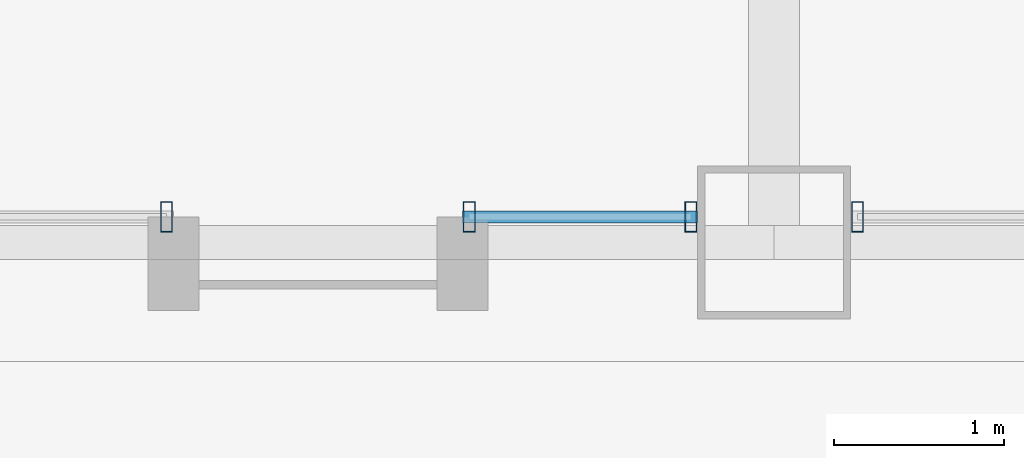
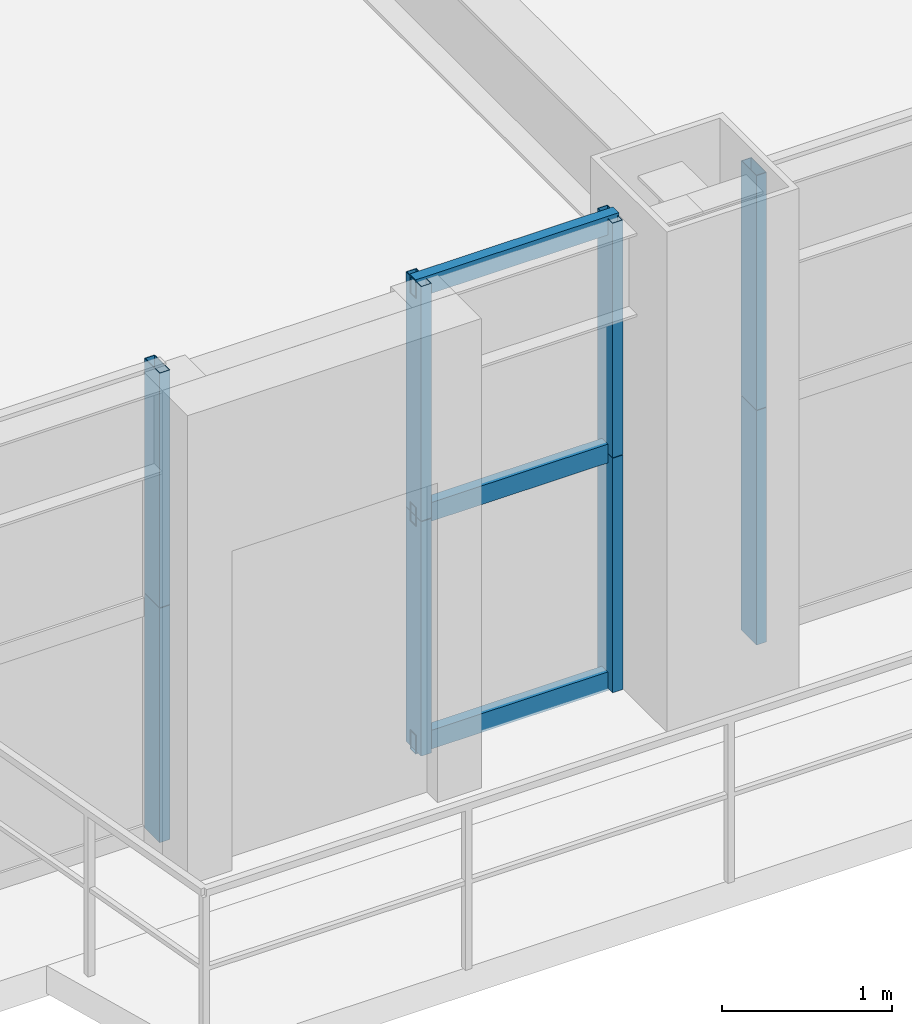
# One storey, part 8 of 43: 11 members, 3 elements without a shape of their own.
"""IFC4 building model written with IfcOpenShell, lengths in metres."""

import ifcopenshell
import ifcopenshell.guid

model = None  # the IFC model being written
_history = None  # IfcOwnerHistory: only IFC2X3 demands one
_inside = {}  # id of a spatial element -> (the spatial element, [elements in it])
_under = {}  # id of a project, library or spatial element -> (it, [spatial elements below it])
_declared = {}  # id of a project -> (the project, [libraries it declares])
_typed = {}  # id of a type object -> (the type object, [elements of that type])
_made_of = {}  # id of a material, layer set ... -> (it, [elements and type objects made of it])


def new_model(schema):
    """Start an empty IFC model of exactly this schema.

    Asked for "IFC4X3", IfcOpenShell would pick the latest addendum, in which some entities
    have other attributes; the version numbers below select the first issue.
    IFC2X3 requires an IfcOwnerHistory on every rooted entity: one is made here for all.
    """
    global model, _history
    if schema == "IFC4X3":
        model = ifcopenshell.file(schema_version=(4, 3, 0, 0))
    else:
        model = ifcopenshell.file(schema=schema)
    _inside.clear()
    _under.clear()
    _declared.clear()
    _typed.clear()
    _made_of.clear()
    _history = None
    if model.schema == "IFC2X3":
        org = make("IfcOrganization", Name="unknown")
        user = make(
            "IfcPersonAndOrganization",
            ThePerson=make("IfcPerson", FamilyName="unknown"),
            TheOrganization=org,
        )
        app = make(
            "IfcApplication",
            ApplicationDeveloper=org,
            Version="unknown",
            ApplicationFullName="unknown",
            ApplicationIdentifier="unknown",
        )
        _history = make(
            "IfcOwnerHistory",
            OwningUser=user,
            OwningApplication=app,
            ChangeAction="ADDED",
            CreationDate=0,
        )
    return model


def make(cls, **values):
    """One entity of the class cls with the attributes given. An attribute that is None is left unset."""
    return model.create_entity(
        cls, **{name: value for name, value in values.items() if value is not None}
    )


def rooted(cls, **values):
    """An entity with a GlobalId (a new one), such as an element, a storey or a relation."""
    return make(cls, GlobalId=ifcopenshell.guid.new(), OwnerHistory=_history, **values)


def si_unit(unit_type, name, prefix=None):
    """IfcSIUnit, for example si_unit("LENGTHUNIT", "METRE", prefix="MILLI")."""
    return make("IfcSIUnit", UnitType=unit_type, Prefix=prefix, Name=name)


def assignment(units):
    """IfcUnitAssignment: the units of a project."""
    return None if units is None else make("IfcUnitAssignment", Units=units)


def point(xyz):
    """IfcCartesianPoint."""
    return None if xyz is None else make("IfcCartesianPoint", Coordinates=xyz)


def direction(xyz):
    """IfcDirection."""
    return None if xyz is None else make("IfcDirection", DirectionRatios=xyz)


def frame(location, z_axis=None, x_axis=None):
    """IfcAxis2Placement3D, a coordinate frame: its origin and axes. An axis left out is left unset."""
    return make(
        "IfcAxis2Placement3D",
        Location=point(location),
        Axis=direction(z_axis),
        RefDirection=direction(x_axis),
    )


def frame_2d(location, x_axis=None):
    """IfcAxis2Placement2D, a coordinate frame in the plane: its origin and x axis."""
    return make(
        "IfcAxis2Placement2D", Location=point(location), RefDirection=direction(x_axis)
    )


def origin():
    """The frame at (0, 0, 0) with its axes left unset."""
    return frame((0.0, 0.0, 0.0))


def origin_2d():
    """The frame at (0, 0) in the plane with its x axis left unset."""
    return frame_2d((0.0, 0.0))


def place(relative_to, where):
    """IfcLocalPlacement: puts the frame where relative to a parent placement (None: the world)."""
    return make(
        "IfcLocalPlacement", PlacementRelTo=relative_to, RelativePlacement=where
    )


def context(
    kind, dimensions, precision=None, world=None, true_north=None, identifier=None
):
    """IfcGeometricRepresentationContext, for example the 3D "Model" context."""
    return make(
        "IfcGeometricRepresentationContext",
        ContextIdentifier=identifier,
        ContextType=kind,
        CoordinateSpaceDimension=dimensions,
        Precision=precision,
        WorldCoordinateSystem=world,
        TrueNorth=true_north,
    )


def subcontext(parent, identifier, kind, view, scale=None):
    """IfcGeometricRepresentationSubContext, for example "Body" below "Model"."""
    return make(
        "IfcGeometricRepresentationSubContext",
        ContextIdentifier=identifier,
        ContextType=kind,
        ParentContext=parent,
        TargetScale=scale,
        TargetView=view,
    )


def project(units=None, contexts=None):
    """IfcProject with its units and contexts."""
    return rooted(
        "IfcProject",
        Name="project",
        RepresentationContexts=contexts,
        UnitsInContext=assignment(units),
    )


def spatial(cls, under=None, at=None, **own):
    """A site, building, storey or space (cls), placed at a placement, below another one or the project."""
    s = rooted(cls, ObjectPlacement=at, **own)
    if under is not None:
        _under.setdefault(under.id(), (under, []))[1].append(s)
    return s


def profile(cls, at=None, kind="AREA", **sizes):
    """A parametric profile (cls). Its sizes go by their IFC names, for example OverallWidth=200.0."""
    return make(cls, ProfileType=kind, Position=at, **sizes)


def hollow_rectangle(**sizes):
    """IfcRectangleHollowProfileDef."""
    return profile("IfcRectangleHollowProfileDef", **sizes)


def extrude(swept, where, along, depth):
    """IfcExtrudedAreaSolid: the profile swept, set in the frame where, extruded along a direction by depth."""
    return make(
        "IfcExtrudedAreaSolid",
        SweptArea=swept,
        Position=where,
        ExtrudedDirection=direction(along),
        Depth=depth,
    )


def shape(context_of_items, identifier, shape_type, items):
    """IfcShapeRepresentation: the items that make up one representation, for example the "Body"."""
    return make(
        "IfcShapeRepresentation",
        ContextOfItems=context_of_items,
        RepresentationIdentifier=identifier,
        RepresentationType=shape_type,
        Items=items,
    )


def source(mapping_origin, context_of_items, identifier, shape_type, items):
    """IfcRepresentationMap: a shape defined once, which mapped items show again and again."""
    return make(
        "IfcRepresentationMap",
        MappingOrigin=mapping_origin,
        MappedRepresentation=shape(context_of_items, identifier, shape_type, items),
    )


def transform(
    local_origin,
    x_axis=None,
    y_axis=None,
    z_axis=None,
    scale=None,
    scale2=None,
    scale3=None,
    uniform=True,
):
    """IfcCartesianTransformationOperator3D, or its non-uniform kind. x_axis, y_axis, z_axis: its Axis1, 2, 3."""
    if uniform:
        return make(
            "IfcCartesianTransformationOperator3D",
            Axis1=direction(x_axis),
            Axis2=direction(y_axis),
            LocalOrigin=point(local_origin),
            Scale=scale,
            Axis3=direction(z_axis),
        )
    return make(
        "IfcCartesianTransformationOperator3DnonUniform",
        Axis1=direction(x_axis),
        Axis2=direction(y_axis),
        LocalOrigin=point(local_origin),
        Scale=scale,
        Axis3=direction(z_axis),
        Scale2=scale2,
        Scale3=scale3,
    )


def mapped(mapping_source, mapping_target):
    """IfcMappedItem: shows the shape of a source again, moved by a transform."""
    return make(
        "IfcMappedItem", MappingSource=mapping_source, MappingTarget=mapping_target
    )


def material(Name=None, Category=None):
    """IfcMaterial."""
    return make("IfcMaterial", Name=Name, Category=Category)


def layer(
    of_material, thickness, ventilated=None, Name=None, Category=None, Priority=None
):
    """IfcMaterialLayer: one layer of a wall or slab, of a material (None: an air gap)."""
    return make(
        "IfcMaterialLayer",
        Material=of_material,
        LayerThickness=thickness,
        IsVentilated=ventilated,
        Name=Name,
        Category=Category,
        Priority=Priority,
    )


def layer_set(layers, Name=None):
    """IfcMaterialLayerSet."""
    return make("IfcMaterialLayerSet", MaterialLayers=layers, LayerSetName=Name)


def material_profile(
    of_material, cross_section, Name=None, Category=None, Priority=None
):
    """IfcMaterialProfile: a cross section and its material."""
    return make(
        "IfcMaterialProfile",
        Name=Name,
        Material=of_material,
        Profile=cross_section,
        Priority=Priority,
        Category=Category,
    )


def profile_set(profiles, Name=None, composite=None):
    """IfcMaterialProfileSet."""
    return make(
        "IfcMaterialProfileSet",
        Name=Name,
        MaterialProfiles=profiles,
        CompositeProfile=composite,
    )


def made_of(thing, what):
    """Note that an element or type object is made of a material, layer set ...; save() writes the relation."""
    if what is not None:
        _made_of.setdefault(what.id(), (what, []))[1].append(thing)
    return thing


def type_object(cls, material=None, **own):
    """A type object (cls), such as IfcWallType, which elements share."""
    return made_of(rooted(cls, **own), material)


def element(
    cls,
    number,
    at=None,
    inside=None,
    cuts=None,
    type_object=None,
    material=None,
    context=None,
    identifier="Body",
    shape_type=None,
    held_by="IfcProductDefinitionShape",
    body=None,
    shapes=None,
    **own,
):
    """One element of the class cls, such as IfcWall. Its Tag is "e" and its number.

    at: its placement. inside: the storey or other place that contains it. cuts: it is an
    opening in that element (IfcRelVoidsElement). A single representation is given by context,
    identifier, shape_type and body (its items); several are given by shapes. held_by: the class
    of the entity that holds the representations. save() writes the other relations.
    """
    e = rooted(cls, Tag="e%d" % number, ObjectPlacement=at, **own)
    if body is not None:
        shapes = [shape(context, identifier, shape_type, body)]
    if shapes is not None:
        e.Representation = make(held_by, Representations=shapes)
    if inside is not None:
        _inside.setdefault(inside.id(), (inside, []))[1].append(e)
    if cuts is not None:
        rooted(
            "IfcRelVoidsElement", RelatingBuildingElement=cuts, RelatedOpeningElement=e
        )
    if type_object is not None:
        _typed.setdefault(type_object.id(), (type_object, []))[1].append(e)
    return made_of(e, material)


def aggregate(whole, parts):
    """IfcRelAggregates: a whole, such as a stair, and the parts it consists of."""
    return rooted("IfcRelAggregates", RelatingObject=whole, RelatedObjects=parts)


def save(model, path):
    """Write the relations noted so far, then the file.

    IfcRelAggregates (storeys below a building ...), IfcRelContainedInSpatialStructure (elements
    in a storey), IfcRelDefinesByType, IfcRelAssociatesMaterial and IfcRelDeclares: one each for
    every whole, place, type object, material and project.
    """
    for whole, parts in _under.values():
        aggregate(whole, parts)
    for where, things in _inside.values():
        rooted(
            "IfcRelContainedInSpatialStructure",
            RelatedElements=things,
            RelatingStructure=where,
        )
    for kind, things in _typed.values():
        rooted("IfcRelDefinesByType", RelatedObjects=things, RelatingType=kind)
    for what, things in _made_of.values():
        rooted("IfcRelAssociatesMaterial", RelatedObjects=things, RelatingMaterial=what)
    for by, libraries in _declared.values():
        rooted("IfcRelDeclares", RelatingContext=by, RelatedDefinitions=libraries)
    model.write(path)


model = new_model("IFC4")

# Units and contexts
model_context = context("Model", 3, precision=1e-05, world=origin(), true_north=direction((0.0, 1.0)))
body_context = subcontext(model_context, "Body", "Model", "MODEL_VIEW")
ifc_project = project(units=[si_unit("LENGTHUNIT", "METRE"), si_unit("AREAUNIT", "SQUARE_METRE"), si_unit("VOLUMEUNIT", "CUBIC_METRE"), si_unit("PLANEANGLEUNIT", "RADIAN"), si_unit("MASSUNIT", "GRAM", prefix="KILO"), si_unit("THERMODYNAMICTEMPERATUREUNIT", "KELVIN"), si_unit("POWERUNIT", "WATT")], contexts=[model_context])

# Site, building, storey
site_placement = place(None, origin())
site = spatial("IfcSite", under=ifc_project, at=site_placement, CompositionType="ELEMENT")
building_placement = place(site_placement, origin())
building = spatial("IfcBuilding", under=site, at=building_placement, Name="Yuzanri Waterfront Tower", CompositionType="ELEMENT")
storey_placement = place(building_placement, frame((0.0, 0.0, 101.0)))
storey = spatial("IfcBuildingStorey", under=building, at=storey_placement, Name="L26", CompositionType="ELEMENT", Elevation=101.0)

# Curtain wall, members
ifc_material_1 = material(Name="Anodized Architectural Bronze", Category="metal")
ifc_layer = layer(ifc_material_1, 0.159912109375)
ifc_layer_set = layer_set([ifc_layer], Name="Anodized Architectural Bronze")
curtain_wall_type = type_object("IfcCurtainWallType", Name="Anodized Bronze Hotel Upper-Tier Solar-Control Unitized Curtain Wall 7800", PredefinedType="NOTDEFINED", material=ifc_layer_set)
curtain_wall_1_placement = place(storey_placement, origin())
curtain_wall_1 = element("IfcCurtainWall", 1, at=curtain_wall_1_placement, inside=storey, type_object=curtain_wall_type, Name="L26 Curtain Wall CW-L26-SL1", PredefinedType="NOTDEFINED")
ifc_material_2 = material(Name="Anodized Architectural Bronze", Category="metal")
ifc_material_profile_1 = material_profile(ifc_material_2, hollow_rectangle(XDim=0.070068359375, YDim=0.179931640625, WallThickness=0.00390625, at=origin_2d()), Name="CWM 70x180")
ifc_profile_set_1 = profile_set([ifc_material_profile_1], Name="Anodized Architectural Bronze")
member_type_1 = type_object("IfcMemberType", Name="Anodized Bronze Standard Curtain-Wall Mullion 70x180", PredefinedType="MULLION", material=ifc_profile_set_1)
shared_shape_1 = source(origin(), body_context, "Body", "SweptSolid", [
    extrude(hollow_rectangle(XDim=0.070068359375, YDim=0.179931640625, WallThickness=0.00390625, at=origin_2d()), origin(), (0.0, 0.0, 1.0), 1.68798828125),
])
member_1_placement = place(storey_placement, frame((33.427001953125, 2.35009765625, 0.0), z_axis=(0.0, 0.0, 1.0), x_axis=(1.0, 0.0, 0.0)))
member_1 = element("IfcMember", 2, at=member_1_placement, type_object=member_type_1, Name="CW-L26-SL1 Lower Mullion 02", PredefinedType="MULLION", context=body_context, shape_type="MappedRepresentation", body=[
    mapped(shared_shape_1, transform((0.0, 0.0, 0.0), scale=1.0)),
])
member_2_placement = place(storey_placement, frame((33.427001953125, 2.35009765625, 1.69189453125), z_axis=(0.0, 0.0, 1.0), x_axis=(1.0, 0.0, 0.0)))
member_2 = element("IfcMember", 3, at=member_2_placement, type_object=member_type_1, Name="CW-L26-SL1 Upper Mullion 02", PredefinedType="MULLION", context=body_context, shape_type="MappedRepresentation", body=[
    mapped(shared_shape_1, transform((0.0, 0.0, 0.0), scale=1.0)),
])
aggregate(curtain_wall_1, [member_1, member_2])

curtain_wall_2_placement = place(storey_placement, origin())
curtain_wall_2 = element("IfcCurtainWall", 4, at=curtain_wall_2_placement, inside=storey, type_object=curtain_wall_type, Name="L26 Curtain Wall CW-L26-SL2", PredefinedType="NOTDEFINED")
member_3_placement = place(storey_placement, frame((35.20703125, 2.35009765625, 0.0), z_axis=(0.0, 0.0, 1.0), x_axis=(1.0, 0.0, 0.0)))
member_3 = element("IfcMember", 5, at=member_3_placement, type_object=member_type_1, Name="CW-L26-SL2 Lower Mullion 00", PredefinedType="MULLION", context=body_context, shape_type="MappedRepresentation", body=[
    mapped(shared_shape_1, transform((0.0, 0.0, 0.0), scale=1.0)),
])
member_4_placement = place(storey_placement, frame((35.20703125, 2.35009765625, 1.69189453125), z_axis=(0.0, 0.0, 1.0), x_axis=(1.0, 0.0, 0.0)))
member_4 = element("IfcMember", 6, at=member_4_placement, type_object=member_type_1, Name="CW-L26-SL2 Upper Mullion 00", PredefinedType="MULLION", context=body_context, shape_type="MappedRepresentation", body=[
    mapped(shared_shape_1, transform((0.0, 0.0, 0.0), scale=1.0)),
])
member_5_placement = place(storey_placement, frame((36.510009765625, 2.35009765625, 0.0), z_axis=(0.0, 0.0, 1.0), x_axis=(1.0, 0.0, 0.0)))
member_5 = element("IfcMember", 7, at=member_5_placement, type_object=member_type_1, Name="CW-L26-SL2 Lower Mullion 01", PredefinedType="MULLION", context=body_context, shape_type="MappedRepresentation", body=[
    mapped(shared_shape_1, transform((0.0, 0.0, 0.0), scale=1.0)),
])
member_6_placement = place(storey_placement, frame((36.510009765625, 2.35009765625, 1.69189453125), z_axis=(0.0, 0.0, 1.0), x_axis=(1.0, 0.0, 0.0)))
member_6 = element("IfcMember", 8, at=member_6_placement, type_object=member_type_1, Name="CW-L26-SL2 Upper Mullion 01", PredefinedType="MULLION", context=body_context, shape_type="MappedRepresentation", body=[
    mapped(shared_shape_1, transform((0.0, 0.0, 0.0), scale=1.0)),
])

curtain_wall_3_placement = place(storey_placement, origin())
curtain_wall_3 = element("IfcCurtainWall", 9, at=curtain_wall_3_placement, inside=storey, type_object=curtain_wall_type, Name="L26 Curtain Wall CW-L26-SR", PredefinedType="NOTDEFINED")
member_7_placement = place(storey_placement, frame((37.489990234375, 2.35009765625, 0.0), z_axis=(0.0, 0.0, 1.0), x_axis=(1.0, 0.0, 0.0)))
member_7 = element("IfcMember", 10, at=member_7_placement, type_object=member_type_1, Name="CW-L26-SR Lower Mullion 00", PredefinedType="MULLION", context=body_context, shape_type="MappedRepresentation", body=[
    mapped(shared_shape_1, transform((0.0, 0.0, 0.0), scale=1.0)),
])
member_8_placement = place(storey_placement, frame((37.489990234375, 2.35009765625, 1.69189453125), z_axis=(0.0, 0.0, 1.0), x_axis=(1.0, 0.0, 0.0)))
member_8 = element("IfcMember", 11, at=member_8_placement, type_object=member_type_1, Name="CW-L26-SR Upper Mullion 00", PredefinedType="MULLION", context=body_context, shape_type="MappedRepresentation", body=[
    mapped(shared_shape_1, transform((0.0, 0.0, 0.0), scale=1.0)),
])
aggregate(curtain_wall_3, [member_7, member_8])

# Member
ifc_material_3 = material(Name="Anodized Architectural Bronze", Category="metal")
ifc_material_profile_2 = material_profile(ifc_material_3, hollow_rectangle(XDim=0.070068359375, YDim=0.135009765625, WallThickness=0.00341796875, at=origin_2d()), Name="CWT 70x135")
ifc_profile_set_2 = profile_set([ifc_material_profile_2], Name="Anodized Architectural Bronze")
member_type_2 = type_object("IfcMemberType", Name="Anodized Bronze Standard Curtain-Wall Transom 70x135", PredefinedType="USERDEFINED", material=ifc_profile_set_2)
shared_shape_2 = source(origin(), body_context, "Body", "SweptSolid", [
    extrude(hollow_rectangle(XDim=0.070068359375, YDim=0.135009765625, WallThickness=0.00341796875, at=origin_2d()), origin(), (0.0, 0.0, 1.0), 1.383056640625),
])
member_9_placement = place(storey_placement, frame((35.1669921875, 2.35009765625, 0.050048828125), z_axis=(1.0, 0.0, 0.0), x_axis=(0.0, 1.0, 0.0)))
member_9 = element("IfcMember", 12, at=member_9_placement, type_object=member_type_2, Name="CW-L26-SL2 Transom 1", ObjectType="TRANSOM", PredefinedType="USERDEFINED", context=body_context, shape_type="MappedRepresentation", body=[
    mapped(shared_shape_2, transform((0.0, 0.0, 0.0), scale=1.0)),
])

member_10_placement = place(storey_placement, frame((35.1669921875, 2.35009765625, 1.68994140625), z_axis=(1.0, 0.0, 0.0), x_axis=(0.0, 1.0, 0.0)))
member_10 = element("IfcMember", 13, at=member_10_placement, type_object=member_type_2, Name="CW-L26-SL2 Transom 2", ObjectType="TRANSOM", PredefinedType="USERDEFINED", context=body_context, shape_type="MappedRepresentation", body=[
    mapped(shared_shape_2, transform((0.0, 0.0, 0.0), scale=1.0)),
])

member_11_placement = place(storey_placement, frame((35.1669921875, 2.35009765625, 3.330078125), z_axis=(1.0, 0.0, 0.0), x_axis=(0.0, 1.0, 0.0)))
member_11 = element("IfcMember", 14, at=member_11_placement, type_object=member_type_2, Name="CW-L26-SL2 Transom 3", ObjectType="TRANSOM", PredefinedType="USERDEFINED", context=body_context, shape_type="MappedRepresentation", body=[
    mapped(shared_shape_2, transform((0.0, 0.0, 0.0), scale=1.0)),
])

aggregate(curtain_wall_2, [member_3, member_4, member_5, member_6, member_9, member_10, member_11])

save(model, "model.ifc")
